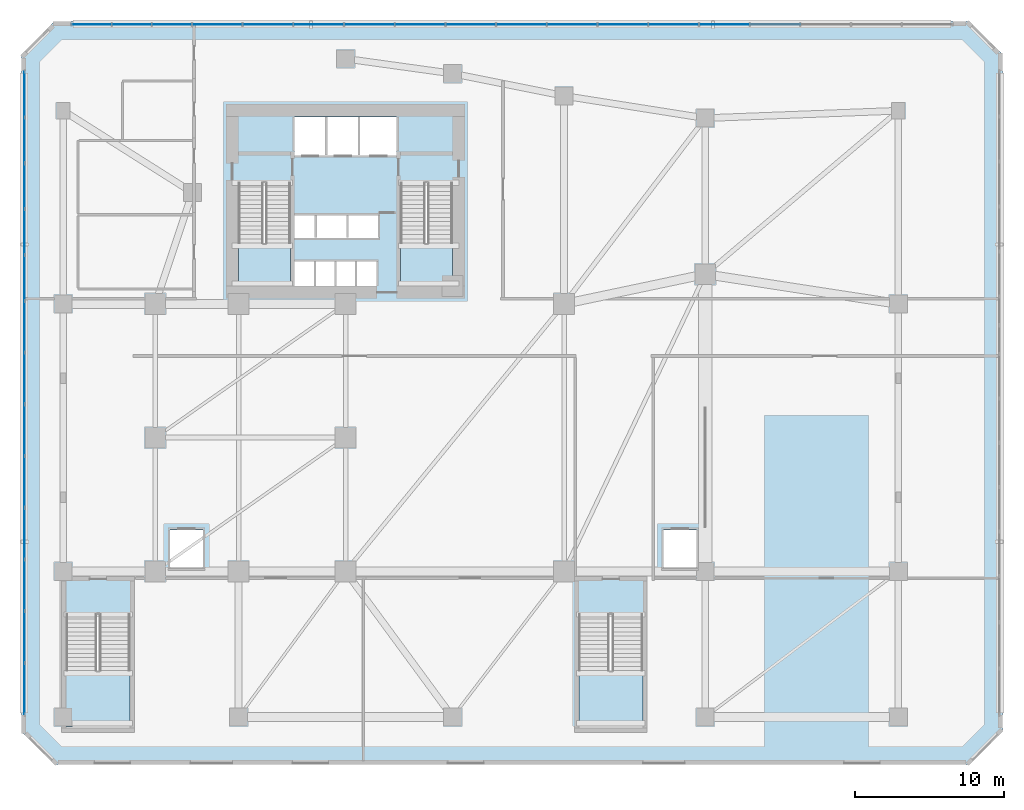
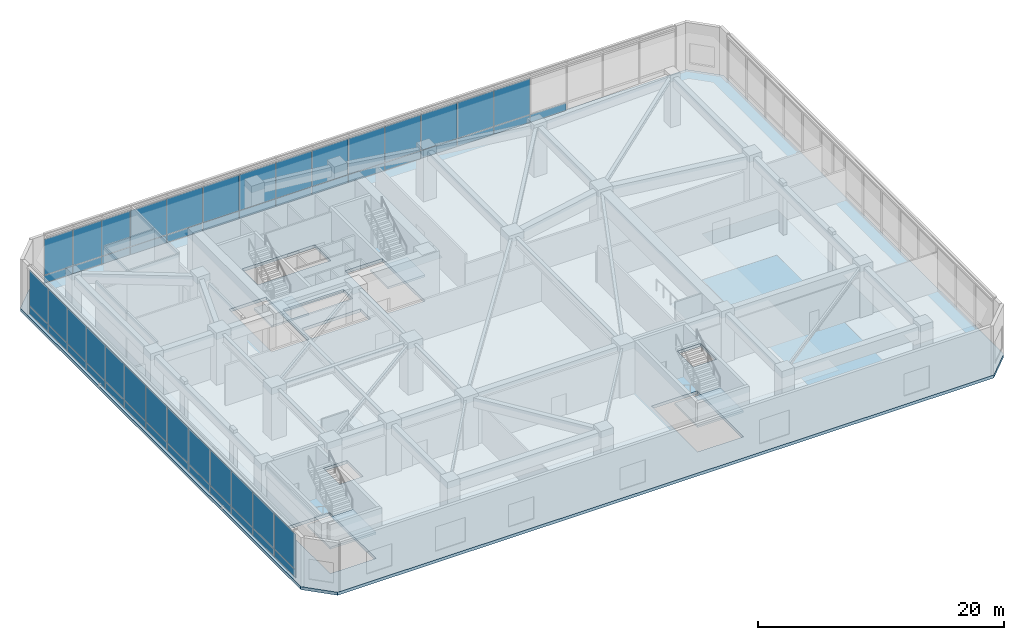
# One storey, part 8 of 18: 55 plates, 5 slabs, 6 elements without a shape of their own.
"""IFC4 building model written with IfcOpenShell, lengths in metres."""

from ifc_helpers import new_model, si_unit, direction, frame, frame_2d, origin, place, context, subcontext, project, spatial, polyline, rectangle, outline, extrude, material, layer, layer_set, type_object, element, aggregate, save


model = new_model("IFC4")

# Units and contexts
model_context = context("Model", 3, precision=1e-05, world=origin(), true_north=direction((0.0, 1.0)))
body_context = subcontext(model_context, "Body", "Model", "MODEL_VIEW")
ifc_project = project(units=[si_unit("LENGTHUNIT", "METRE"), si_unit("AREAUNIT", "SQUARE_METRE"), si_unit("VOLUMEUNIT", "CUBIC_METRE"), si_unit("PLANEANGLEUNIT", "RADIAN"), si_unit("MASSUNIT", "GRAM", prefix="KILO")], contexts=[model_context])

# Site, building, storey
site_placement = place(None, origin())
site = spatial("IfcSite", under=ifc_project, at=site_placement, CompositionType="ELEMENT")
building_placement = place(site_placement, origin())
building = spatial("IfcBuilding", under=site, at=building_placement, Name="Calvemar Wedge Station Tower", CompositionType="ELEMENT")
storey_placement = place(building_placement, frame((0.0, 0.0, 11.199951171875)))
storey = spatial("IfcBuildingStorey", under=building, at=storey_placement, Name="L03", CompositionType="ELEMENT", Elevation=11.199951171875)

# Curtain wall, plates
ifc_material_1 = material(Name="Anodised aluminium 6063-T6", Category="aluminium")
curtain_wall_type = type_object("IfcCurtainWallType", Name="CW5", PredefinedType="NOTDEFINED", material=ifc_material_1)
curtain_wall_1_placement = place(storey_placement, origin())
curtain_wall_1 = element("IfcCurtainWall", 1, at=curtain_wall_1_placement, inside=storey, type_object=curtain_wall_type, Name="Storey L03 CW5 Recessed Unitised Curtain Wall 4", PredefinedType="NOTDEFINED")
ifc_material_2 = material(Name="Low-E laminated insulated glass", Category="glass")
ifc_layer_1 = layer(ifc_material_2, 0.028076171875)
ifc_layer_set_1 = layer_set([ifc_layer_1], Name="Low-E laminated insulated glass")
plate_type_1 = type_object("IfcPlateType", Name="CW5-GLZ", PredefinedType="CURTAIN_PANEL", material=ifc_layer_set_1)
plate_1_placement = place(storey_placement, frame((50.972412109375, 51.7900390625, 0.8701171875), z_axis=(0.0, 0.0, 1.0), x_axis=(-1.0, 0.0, 0.0)))
plate_1 = element("IfcPlate", 2, at=plate_1_placement, type_object=plate_type_1, Name="CW5 vision glass panel 5", PredefinedType="CURTAIN_PANEL", context=body_context, shape_type="SweptSolid", body=[
    extrude(rectangle(XDim=3.375732421875, YDim=0.028076171875, at=frame_2d((1.68798828125, 0.0))), origin(), (0.0, 0.0, 1.0), 3.559814453125),
])
plate_2_placement = place(storey_placement, frame((47.560546875, 51.7900390625, 0.8701171875), z_axis=(0.0, 0.0, 1.0), x_axis=(-1.0, 0.0, 0.0)))
plate_2 = element("IfcPlate", 3, at=plate_2_placement, type_object=plate_type_1, Name="CW5 vision glass panel 6", PredefinedType="CURTAIN_PANEL", context=body_context, shape_type="SweptSolid", body=[
    extrude(rectangle(XDim=3.375732421875, YDim=0.028076171875, at=frame_2d((1.68798828125, 0.0))), origin(), (0.0, 0.0, 1.0), 3.559814453125),
])
plate_3_placement = place(storey_placement, frame((44.148681640625, 51.7900390625, 0.8701171875), z_axis=(0.0, 0.0, 1.0), x_axis=(-1.0, 0.0, 0.0)))
plate_3 = element("IfcPlate", 4, at=plate_3_placement, type_object=plate_type_1, Name="CW5 vision glass panel 7", PredefinedType="CURTAIN_PANEL", context=body_context, shape_type="SweptSolid", body=[
    extrude(rectangle(XDim=3.375732421875, YDim=0.028076171875, at=frame_2d((1.68798828125, 0.0))), origin(), (0.0, 0.0, 1.0), 3.559814453125),
])
plate_4_placement = place(storey_placement, frame((40.73681640625, 51.7900390625, 0.8701171875), z_axis=(0.0, 0.0, 1.0), x_axis=(-1.0, 0.0, 0.0)))
plate_4 = element("IfcPlate", 5, at=plate_4_placement, type_object=plate_type_1, Name="CW5 vision glass panel 8", PredefinedType="CURTAIN_PANEL", context=body_context, shape_type="SweptSolid", body=[
    extrude(rectangle(XDim=3.375732421875, YDim=0.028076171875, at=frame_2d((1.68798828125, 0.0))), origin(), (0.0, 0.0, 1.0), 3.559814453125),
])
plate_5_placement = place(storey_placement, frame((37.324951171875, 51.7900390625, 0.8701171875), z_axis=(0.0, 0.0, 1.0), x_axis=(-1.0, 0.0, 0.0)))
plate_5 = element("IfcPlate", 6, at=plate_5_placement, type_object=plate_type_1, Name="CW5 vision glass panel 9", PredefinedType="CURTAIN_PANEL", context=body_context, shape_type="SweptSolid", body=[
    extrude(rectangle(XDim=3.375732421875, YDim=0.028076171875, at=frame_2d((1.68798828125, 0.0))), origin(), (0.0, 0.0, 1.0), 3.559814453125),
])
plate_6_placement = place(storey_placement, frame((33.9130859375, 51.7900390625, 0.8701171875), z_axis=(0.0, 0.0, 1.0), x_axis=(-1.0, 0.0, 0.0)))
plate_6 = element("IfcPlate", 7, at=plate_6_placement, type_object=plate_type_1, Name="CW5 vision glass panel 10", PredefinedType="CURTAIN_PANEL", context=body_context, shape_type="SweptSolid", body=[
    extrude(rectangle(XDim=3.375732421875, YDim=0.028076171875, at=frame_2d((1.68798828125, 0.0))), origin(), (0.0, 0.0, 1.0), 3.559814453125),
])
plate_7_placement = place(storey_placement, frame((30.501220703125, 51.7900390625, 0.8701171875), z_axis=(0.0, 0.0, 1.0), x_axis=(-1.0, 0.0, 0.0)))
plate_7 = element("IfcPlate", 8, at=plate_7_placement, type_object=plate_type_1, Name="CW5 vision glass panel 11", PredefinedType="CURTAIN_PANEL", context=body_context, shape_type="SweptSolid", body=[
    extrude(rectangle(XDim=3.375732421875, YDim=0.028076171875, at=frame_2d((1.68798828125, 0.0))), origin(), (0.0, 0.0, 1.0), 3.559814453125),
])
plate_8_placement = place(storey_placement, frame((27.08935546875, 51.7900390625, 0.8701171875), z_axis=(0.0, 0.0, 1.0), x_axis=(-1.0, 0.0, 0.0)))
plate_8 = element("IfcPlate", 9, at=plate_8_placement, type_object=plate_type_1, Name="CW5 vision glass panel 12", PredefinedType="CURTAIN_PANEL", context=body_context, shape_type="SweptSolid", body=[
    extrude(rectangle(XDim=3.375732421875, YDim=0.028076171875, at=frame_2d((1.68798828125, 0.0))), origin(), (0.0, 0.0, 1.0), 3.559814453125),
])
plate_9_placement = place(storey_placement, frame((23.677490234375, 51.7900390625, 0.8701171875), z_axis=(0.0, 0.0, 1.0), x_axis=(-1.0, 0.0, 0.0)))
plate_9 = element("IfcPlate", 10, at=plate_9_placement, type_object=plate_type_1, Name="CW5 vision glass panel 13", PredefinedType="CURTAIN_PANEL", context=body_context, shape_type="SweptSolid", body=[
    extrude(rectangle(XDim=3.375732421875, YDim=0.028076171875, at=frame_2d((1.68798828125, 0.0))), origin(), (0.0, 0.0, 1.0), 3.559814453125),
])
plate_10_placement = place(storey_placement, frame((20.265625, 51.7900390625, 0.8701171875), z_axis=(0.0, 0.0, 1.0), x_axis=(-1.0, 0.0, 0.0)))
plate_10 = element("IfcPlate", 11, at=plate_10_placement, type_object=plate_type_1, Name="CW5 vision glass panel 14", PredefinedType="CURTAIN_PANEL", context=body_context, shape_type="SweptSolid", body=[
    extrude(rectangle(XDim=3.375732421875, YDim=0.028076171875, at=frame_2d((1.68798828125, 0.0))), origin(), (0.0, 0.0, 1.0), 3.559814453125),
])
plate_11_placement = place(storey_placement, frame((16.85400390625, 51.7900390625, 0.8701171875), z_axis=(0.0, 0.0, 1.0), x_axis=(-1.0, 0.0, 0.0)))
plate_11 = element("IfcPlate", 12, at=plate_11_placement, type_object=plate_type_1, Name="CW5 vision glass panel 15", PredefinedType="CURTAIN_PANEL", context=body_context, shape_type="SweptSolid", body=[
    extrude(rectangle(XDim=3.3759765625, YDim=0.028076171875, at=frame_2d((1.68798828125, 0.0))), origin(), (0.0, 0.0, 1.0), 3.559814453125),
])
plate_12_placement = place(storey_placement, frame((13.44189453125, 51.7900390625, 0.8701171875), z_axis=(0.0, 0.0, 1.0), x_axis=(-1.0, 0.0, 0.0)))
plate_12 = element("IfcPlate", 13, at=plate_12_placement, type_object=plate_type_1, Name="CW5 vision glass panel 16", PredefinedType="CURTAIN_PANEL", context=body_context, shape_type="SweptSolid", body=[
    extrude(rectangle(XDim=2.6630859375, YDim=0.028076171875, at=frame_2d((1.33154296875, 0.0))), origin(), (0.0, 0.0, 1.0), 3.559814453125),
])
plate_13_placement = place(storey_placement, frame((10.74267578125, 51.7900390625, 0.8701171875), z_axis=(0.0, 0.0, 1.0), x_axis=(-1.0, 0.0, 0.0)))
plate_13 = element("IfcPlate", 14, at=plate_13_placement, type_object=plate_type_1, Name="CW5 vision glass panel 17", PredefinedType="CURTAIN_PANEL", context=body_context, shape_type="SweptSolid", body=[
    extrude(rectangle(XDim=2.663330078125, YDim=0.028076171875, at=frame_2d((1.33154296875, 0.0))), origin(), (0.0, 0.0, 1.0), 3.559814453125),
])
plate_14_placement = place(storey_placement, frame((8.04345703125, 51.7900390625, 0.8701171875), z_axis=(0.0, 0.0, 1.0), x_axis=(-1.0, 0.0, 0.0)))
plate_14 = element("IfcPlate", 15, at=plate_14_placement, type_object=plate_type_1, Name="CW5 vision glass panel 18", PredefinedType="CURTAIN_PANEL", context=body_context, shape_type="SweptSolid", body=[
    extrude(rectangle(XDim=2.663330078125, YDim=0.028076171875, at=frame_2d((1.33154296875, 0.0))), origin(), (0.0, 0.0, 1.0), 3.559814453125),
])

curtain_wall_2_placement = place(storey_placement, origin())
curtain_wall_2 = element("IfcCurtainWall", 16, at=curtain_wall_2_placement, inside=storey, type_object=curtain_wall_type, Name="Storey L03 CW5 Recessed Unitised Curtain Wall 6", PredefinedType="NOTDEFINED")
plate_15_placement = place(storey_placement, frame((2.2099609375, 48.619873046875, 0.8701171875), z_axis=(0.0, 0.0, 1.0), x_axis=(0.0, -1.0, 0.0)))
plate_15 = element("IfcPlate", 17, at=plate_15_placement, type_object=plate_type_1, Name="CW5 vision glass panel 1", PredefinedType="CURTAIN_PANEL", context=body_context, shape_type="SweptSolid", body=[
    extrude(rectangle(XDim=3.049560546875, YDim=0.028076171875, at=frame_2d((1.52490234375, 0.0))), origin(), (0.0, 0.0, 1.0), 3.559814453125),
])
plate_16_placement = place(storey_placement, frame((2.2099609375, 45.5341796875, 0.8701171875), z_axis=(0.0, 0.0, 1.0), x_axis=(0.0, -1.0, 0.0)))
plate_16 = element("IfcPlate", 18, at=plate_16_placement, type_object=plate_type_1, Name="CW5 vision glass panel 2", PredefinedType="CURTAIN_PANEL", context=body_context, shape_type="SweptSolid", body=[
    extrude(rectangle(XDim=3.049560546875, YDim=0.028076171875, at=frame_2d((1.52490234375, 0.0))), origin(), (0.0, 0.0, 1.0), 3.559814453125),
])
plate_17_placement = place(storey_placement, frame((2.2099609375, 42.44873046875, 0.8701171875), z_axis=(0.0, 0.0, 1.0), x_axis=(0.0, -1.0, 0.0)))
plate_17 = element("IfcPlate", 19, at=plate_17_placement, type_object=plate_type_1, Name="CW5 vision glass panel 3", PredefinedType="CURTAIN_PANEL", context=body_context, shape_type="SweptSolid", body=[
    extrude(rectangle(XDim=3.049560546875, YDim=0.028076171875, at=frame_2d((1.52490234375, 0.0))), origin(), (0.0, 0.0, 1.0), 3.559814453125),
])
plate_18_placement = place(storey_placement, frame((2.2099609375, 39.36328125, 0.8701171875), z_axis=(0.0, 0.0, 1.0), x_axis=(0.0, -1.0, 0.0)))
plate_18 = element("IfcPlate", 20, at=plate_18_placement, type_object=plate_type_1, Name="CW5 vision glass panel 4", PredefinedType="CURTAIN_PANEL", context=body_context, shape_type="SweptSolid", body=[
    extrude(rectangle(XDim=3.049560546875, YDim=0.028076171875, at=frame_2d((1.52490234375, 0.0))), origin(), (0.0, 0.0, 1.0), 3.559814453125),
])
plate_19_placement = place(storey_placement, frame((2.2099609375, 36.277587890625, 0.8701171875), z_axis=(0.0, 0.0, 1.0), x_axis=(0.0, -1.0, 0.0)))
plate_19 = element("IfcPlate", 21, at=plate_19_placement, type_object=plate_type_1, Name="CW5 vision glass panel 5", PredefinedType="CURTAIN_PANEL", context=body_context, shape_type="SweptSolid", body=[
    extrude(rectangle(XDim=3.049560546875, YDim=0.028076171875, at=frame_2d((1.52490234375, 0.0))), origin(), (0.0, 0.0, 1.0), 3.559814453125),
])
plate_20_placement = place(storey_placement, frame((2.2099609375, 33.19189453125, 0.8701171875), z_axis=(0.0, 0.0, 1.0), x_axis=(0.0, -1.0, 0.0)))
plate_20 = element("IfcPlate", 22, at=plate_20_placement, type_object=plate_type_1, Name="CW5 vision glass panel 6", PredefinedType="CURTAIN_PANEL", context=body_context, shape_type="SweptSolid", body=[
    extrude(rectangle(XDim=3.44482421875, YDim=0.028076171875, at=frame_2d((1.722412109375, 0.0))), origin(), (0.0, 0.0, 1.0), 3.559814453125),
])
plate_21_placement = place(storey_placement, frame((2.2099609375, 29.7109375, 0.8701171875), z_axis=(0.0, 0.0, 1.0), x_axis=(0.0, -1.0, 0.0)))
plate_21 = element("IfcPlate", 23, at=plate_21_placement, type_object=plate_type_1, Name="CW5 vision glass panel 7", PredefinedType="CURTAIN_PANEL", context=body_context, shape_type="SweptSolid", body=[
    extrude(rectangle(XDim=3.44482421875, YDim=0.028076171875, at=frame_2d((1.722412109375, 0.0))), origin(), (0.0, 0.0, 1.0), 3.559814453125),
])
plate_22_placement = place(storey_placement, frame((2.2099609375, 26.22998046875, 0.8701171875), z_axis=(0.0, 0.0, 1.0), x_axis=(0.0, -1.0, 0.0)))
plate_22 = element("IfcPlate", 24, at=plate_22_placement, type_object=plate_type_1, Name="CW5 vision glass panel 8", PredefinedType="CURTAIN_PANEL", context=body_context, shape_type="SweptSolid", body=[
    extrude(rectangle(XDim=3.445068359375, YDim=0.028076171875, at=frame_2d((1.72265625, 0.0))), origin(), (0.0, 0.0, 1.0), 3.559814453125),
])
plate_23_placement = place(storey_placement, frame((2.2099609375, 22.7490234375, 0.8701171875), z_axis=(0.0, 0.0, 1.0), x_axis=(0.0, -1.0, 0.0)))
plate_23 = element("IfcPlate", 25, at=plate_23_placement, type_object=plate_type_1, Name="CW5 vision glass panel 9", PredefinedType="CURTAIN_PANEL", context=body_context, shape_type="SweptSolid", body=[
    extrude(rectangle(XDim=3.44482421875, YDim=0.028076171875, at=frame_2d((1.722412109375, 0.0))), origin(), (0.0, 0.0, 1.0), 3.559814453125),
])
plate_24_placement = place(storey_placement, frame((2.2099609375, 19.26806640625, 0.8701171875), z_axis=(0.0, 0.0, 1.0), x_axis=(0.0, -1.0, 0.0)))
plate_24 = element("IfcPlate", 26, at=plate_24_placement, type_object=plate_type_1, Name="CW5 vision glass panel 10", PredefinedType="CURTAIN_PANEL", context=body_context, shape_type="SweptSolid", body=[
    extrude(rectangle(XDim=3.445068359375, YDim=0.028076171875, at=frame_2d((1.72265625, 0.0))), origin(), (0.0, 0.0, 1.0), 3.559814453125),
])
plate_25_placement = place(storey_placement, frame((2.2099609375, 15.787109375, 0.8701171875), z_axis=(0.0, 0.0, 1.0), x_axis=(0.0, -1.0, 0.0)))
plate_25 = element("IfcPlate", 27, at=plate_25_placement, type_object=plate_type_1, Name="CW5 vision glass panel 11", PredefinedType="CURTAIN_PANEL", context=body_context, shape_type="SweptSolid", body=[
    extrude(rectangle(XDim=3.445068359375, YDim=0.028076171875, at=frame_2d((1.72265625, 0.0))), origin(), (0.0, 0.0, 1.0), 3.559814453125),
])
plate_26_placement = place(storey_placement, frame((2.2099609375, 12.30615234375, 0.8701171875), z_axis=(0.0, 0.0, 1.0), x_axis=(0.0, -1.0, 0.0)))
plate_26 = element("IfcPlate", 28, at=plate_26_placement, type_object=plate_type_1, Name="CW5 vision glass panel 12", PredefinedType="CURTAIN_PANEL", context=body_context, shape_type="SweptSolid", body=[
    extrude(rectangle(XDim=3.445068359375, YDim=0.028076171875, at=frame_2d((1.72265625, 0.0))), origin(), (0.0, 0.0, 1.0), 3.559814453125),
])
plate_27_placement = place(storey_placement, frame((2.2099609375, 8.8251953125, 0.8701171875), z_axis=(0.0, 0.0, 1.0), x_axis=(0.0, -1.0, 0.0)))
plate_27 = element("IfcPlate", 29, at=plate_27_placement, type_object=plate_type_1, Name="CW5 vision glass panel 13", PredefinedType="CURTAIN_PANEL", context=body_context, shape_type="SweptSolid", body=[
    extrude(rectangle(XDim=3.445068359375, YDim=0.028076171875, at=frame_2d((1.72265625, 0.0))), origin(), (0.0, 0.0, 1.0), 3.559814453125),
])

# Plate
ifc_material_3 = material(Name="Oxidized bronze aluminium spandrel panel 5005-H24", Category="aluminium")
ifc_layer_2 = layer(ifc_material_3, 0.0400390625)
ifc_layer_set_2 = layer_set([ifc_layer_2], Name="Oxidized bronze aluminium spandrel panel 5005-H24")
plate_type_2 = type_object("IfcPlateType", Name="CW5-SPD", PredefinedType="SHEET", material=ifc_layer_set_2)
plate_28_placement = place(storey_placement, frame((54.38427734375, 51.7900390625, 0.080078125), z_axis=(0.0, 0.0, 1.0), x_axis=(-1.0, 0.0, 0.0)))
plate_28 = element("IfcPlate", 30, at=plate_28_placement, type_object=plate_type_2, Name="CW5 bronze spandrel panel 4", PredefinedType="SHEET", context=body_context, shape_type="SweptSolid", body=[
    extrude(rectangle(XDim=3.375732421875, YDim=0.0400390625, at=frame_2d((1.68798828125, 0.0))), origin(), (0.0, 0.0, 1.0), 0.75),
])

plate_29_placement = place(storey_placement, frame((50.972412109375, 51.7900390625, 0.080078125), z_axis=(0.0, 0.0, 1.0), x_axis=(-1.0, 0.0, 0.0)))
plate_29 = element("IfcPlate", 31, at=plate_29_placement, type_object=plate_type_2, Name="CW5 bronze spandrel panel 5", PredefinedType="SHEET", context=body_context, shape_type="SweptSolid", body=[
    extrude(rectangle(XDim=3.375732421875, YDim=0.0400390625, at=frame_2d((1.68798828125, 0.0))), origin(), (0.0, 0.0, 1.0), 0.75),
])

plate_30_placement = place(storey_placement, frame((47.560546875, 51.7900390625, 0.080078125), z_axis=(0.0, 0.0, 1.0), x_axis=(-1.0, 0.0, 0.0)))
plate_30 = element("IfcPlate", 32, at=plate_30_placement, type_object=plate_type_2, Name="CW5 bronze spandrel panel 6", PredefinedType="SHEET", context=body_context, shape_type="SweptSolid", body=[
    extrude(rectangle(XDim=3.375732421875, YDim=0.0400390625, at=frame_2d((1.68798828125, 0.0))), origin(), (0.0, 0.0, 1.0), 0.75),
])

plate_31_placement = place(storey_placement, frame((44.148681640625, 51.7900390625, 0.080078125), z_axis=(0.0, 0.0, 1.0), x_axis=(-1.0, 0.0, 0.0)))
plate_31 = element("IfcPlate", 33, at=plate_31_placement, type_object=plate_type_2, Name="CW5 bronze spandrel panel 7", PredefinedType="SHEET", context=body_context, shape_type="SweptSolid", body=[
    extrude(rectangle(XDim=3.375732421875, YDim=0.0400390625, at=frame_2d((1.68798828125, 0.0))), origin(), (0.0, 0.0, 1.0), 0.75),
])

plate_32_placement = place(storey_placement, frame((40.73681640625, 51.7900390625, 0.080078125), z_axis=(0.0, 0.0, 1.0), x_axis=(-1.0, 0.0, 0.0)))
plate_32 = element("IfcPlate", 34, at=plate_32_placement, type_object=plate_type_2, Name="CW5 bronze spandrel panel 8", PredefinedType="SHEET", context=body_context, shape_type="SweptSolid", body=[
    extrude(rectangle(XDim=3.375732421875, YDim=0.0400390625, at=frame_2d((1.68798828125, 0.0))), origin(), (0.0, 0.0, 1.0), 0.75),
])

plate_33_placement = place(storey_placement, frame((37.324951171875, 51.7900390625, 0.080078125), z_axis=(0.0, 0.0, 1.0), x_axis=(-1.0, 0.0, 0.0)))
plate_33 = element("IfcPlate", 35, at=plate_33_placement, type_object=plate_type_2, Name="CW5 bronze spandrel panel 9", PredefinedType="SHEET", context=body_context, shape_type="SweptSolid", body=[
    extrude(rectangle(XDim=3.375732421875, YDim=0.0400390625, at=frame_2d((1.68798828125, 0.0))), origin(), (0.0, 0.0, 1.0), 0.75),
])

plate_34_placement = place(storey_placement, frame((33.9130859375, 51.7900390625, 0.080078125), z_axis=(0.0, 0.0, 1.0), x_axis=(-1.0, 0.0, 0.0)))
plate_34 = element("IfcPlate", 36, at=plate_34_placement, type_object=plate_type_2, Name="CW5 bronze spandrel panel 10", PredefinedType="SHEET", context=body_context, shape_type="SweptSolid", body=[
    extrude(rectangle(XDim=3.375732421875, YDim=0.0400390625, at=frame_2d((1.68798828125, 0.0))), origin(), (0.0, 0.0, 1.0), 0.75),
])

plate_35_placement = place(storey_placement, frame((30.501220703125, 51.7900390625, 0.080078125), z_axis=(0.0, 0.0, 1.0), x_axis=(-1.0, 0.0, 0.0)))
plate_35 = element("IfcPlate", 37, at=plate_35_placement, type_object=plate_type_2, Name="CW5 bronze spandrel panel 11", PredefinedType="SHEET", context=body_context, shape_type="SweptSolid", body=[
    extrude(rectangle(XDim=3.375732421875, YDim=0.0400390625, at=frame_2d((1.68798828125, 0.0))), origin(), (0.0, 0.0, 1.0), 0.75),
])

plate_36_placement = place(storey_placement, frame((27.08935546875, 51.7900390625, 0.080078125), z_axis=(0.0, 0.0, 1.0), x_axis=(-1.0, 0.0, 0.0)))
plate_36 = element("IfcPlate", 38, at=plate_36_placement, type_object=plate_type_2, Name="CW5 bronze spandrel panel 12", PredefinedType="SHEET", context=body_context, shape_type="SweptSolid", body=[
    extrude(rectangle(XDim=3.375732421875, YDim=0.0400390625, at=frame_2d((1.68798828125, 0.0))), origin(), (0.0, 0.0, 1.0), 0.75),
])

plate_37_placement = place(storey_placement, frame((23.677490234375, 51.7900390625, 0.080078125), z_axis=(0.0, 0.0, 1.0), x_axis=(-1.0, 0.0, 0.0)))
plate_37 = element("IfcPlate", 39, at=plate_37_placement, type_object=plate_type_2, Name="CW5 bronze spandrel panel 13", PredefinedType="SHEET", context=body_context, shape_type="SweptSolid", body=[
    extrude(rectangle(XDim=3.375732421875, YDim=0.0400390625, at=frame_2d((1.68798828125, 0.0))), origin(), (0.0, 0.0, 1.0), 0.75),
])

plate_38_placement = place(storey_placement, frame((20.265625, 51.7900390625, 0.080078125), z_axis=(0.0, 0.0, 1.0), x_axis=(-1.0, 0.0, 0.0)))
plate_38 = element("IfcPlate", 40, at=plate_38_placement, type_object=plate_type_2, Name="CW5 bronze spandrel panel 14", PredefinedType="SHEET", context=body_context, shape_type="SweptSolid", body=[
    extrude(rectangle(XDim=3.375732421875, YDim=0.0400390625, at=frame_2d((1.68798828125, 0.0))), origin(), (0.0, 0.0, 1.0), 0.75),
])

plate_39_placement = place(storey_placement, frame((16.85400390625, 51.7900390625, 0.080078125), z_axis=(0.0, 0.0, 1.0), x_axis=(-1.0, 0.0, 0.0)))
plate_39 = element("IfcPlate", 41, at=plate_39_placement, type_object=plate_type_2, Name="CW5 bronze spandrel panel 15", PredefinedType="SHEET", context=body_context, shape_type="SweptSolid", body=[
    extrude(rectangle(XDim=3.3759765625, YDim=0.0400390625, at=frame_2d((1.68798828125, 0.0))), origin(), (0.0, 0.0, 1.0), 0.75),
])

plate_40_placement = place(storey_placement, frame((13.44189453125, 51.7900390625, 0.080078125), z_axis=(0.0, 0.0, 1.0), x_axis=(-1.0, 0.0, 0.0)))
plate_40 = element("IfcPlate", 42, at=plate_40_placement, type_object=plate_type_2, Name="CW5 bronze spandrel panel 16", PredefinedType="SHEET", context=body_context, shape_type="SweptSolid", body=[
    extrude(rectangle(XDim=2.6630859375, YDim=0.0400390625, at=frame_2d((1.33154296875, 0.0))), origin(), (0.0, 0.0, 1.0), 0.75),
])

plate_41_placement = place(storey_placement, frame((10.74267578125, 51.7900390625, 0.080078125), z_axis=(0.0, 0.0, 1.0), x_axis=(-1.0, 0.0, 0.0)))
plate_41 = element("IfcPlate", 43, at=plate_41_placement, type_object=plate_type_2, Name="CW5 bronze spandrel panel 17", PredefinedType="SHEET", context=body_context, shape_type="SweptSolid", body=[
    extrude(rectangle(XDim=2.663330078125, YDim=0.0400390625, at=frame_2d((1.33154296875, 0.0))), origin(), (0.0, 0.0, 1.0), 0.75),
])

plate_42_placement = place(storey_placement, frame((8.04345703125, 51.7900390625, 0.080078125), z_axis=(0.0, 0.0, 1.0), x_axis=(-1.0, 0.0, 0.0)))
plate_42 = element("IfcPlate", 44, at=plate_42_placement, type_object=plate_type_2, Name="CW5 bronze spandrel panel 18", PredefinedType="SHEET", context=body_context, shape_type="SweptSolid", body=[
    extrude(rectangle(XDim=2.663330078125, YDim=0.0400390625, at=frame_2d((1.33154296875, 0.0))), origin(), (0.0, 0.0, 1.0), 0.75),
])

aggregate(curtain_wall_1, [plate_28, plate_29, plate_1, plate_30, plate_2, plate_31, plate_3, plate_32, plate_4, plate_33, plate_5, plate_34, plate_6, plate_35, plate_7, plate_36, plate_8, plate_37, plate_9, plate_38, plate_10, plate_39, plate_11, plate_40, plate_12, plate_41, plate_13, plate_42, plate_14])

plate_43_placement = place(storey_placement, frame((2.2099609375, 48.619873046875, 0.080078125), z_axis=(0.0, 0.0, 1.0), x_axis=(0.0, -1.0, 0.0)))
plate_43 = element("IfcPlate", 45, at=plate_43_placement, type_object=plate_type_2, Name="CW5 bronze spandrel panel 1", PredefinedType="SHEET", context=body_context, shape_type="SweptSolid", body=[
    extrude(rectangle(XDim=3.049560546875, YDim=0.0400390625, at=frame_2d((1.52490234375, 0.0))), origin(), (0.0, 0.0, 1.0), 0.75),
])

plate_44_placement = place(storey_placement, frame((2.2099609375, 45.5341796875, 0.080078125), z_axis=(0.0, 0.0, 1.0), x_axis=(0.0, -1.0, 0.0)))
plate_44 = element("IfcPlate", 46, at=plate_44_placement, type_object=plate_type_2, Name="CW5 bronze spandrel panel 2", PredefinedType="SHEET", context=body_context, shape_type="SweptSolid", body=[
    extrude(rectangle(XDim=3.049560546875, YDim=0.0400390625, at=frame_2d((1.52490234375, 0.0))), origin(), (0.0, 0.0, 1.0), 0.75),
])

plate_45_placement = place(storey_placement, frame((2.2099609375, 42.44873046875, 0.080078125), z_axis=(0.0, 0.0, 1.0), x_axis=(0.0, -1.0, 0.0)))
plate_45 = element("IfcPlate", 47, at=plate_45_placement, type_object=plate_type_2, Name="CW5 bronze spandrel panel 3", PredefinedType="SHEET", context=body_context, shape_type="SweptSolid", body=[
    extrude(rectangle(XDim=3.049560546875, YDim=0.0400390625, at=frame_2d((1.52490234375, 0.0))), origin(), (0.0, 0.0, 1.0), 0.75),
])

plate_46_placement = place(storey_placement, frame((2.2099609375, 39.36328125, 0.080078125), z_axis=(0.0, 0.0, 1.0), x_axis=(0.0, -1.0, 0.0)))
plate_46 = element("IfcPlate", 48, at=plate_46_placement, type_object=plate_type_2, Name="CW5 bronze spandrel panel 4", PredefinedType="SHEET", context=body_context, shape_type="SweptSolid", body=[
    extrude(rectangle(XDim=3.049560546875, YDim=0.0400390625, at=frame_2d((1.52490234375, 0.0))), origin(), (0.0, 0.0, 1.0), 0.75),
])

plate_47_placement = place(storey_placement, frame((2.2099609375, 36.277587890625, 0.080078125), z_axis=(0.0, 0.0, 1.0), x_axis=(0.0, -1.0, 0.0)))
plate_47 = element("IfcPlate", 49, at=plate_47_placement, type_object=plate_type_2, Name="CW5 bronze spandrel panel 5", PredefinedType="SHEET", context=body_context, shape_type="SweptSolid", body=[
    extrude(rectangle(XDim=3.049560546875, YDim=0.0400390625, at=frame_2d((1.52490234375, 0.0))), origin(), (0.0, 0.0, 1.0), 0.75),
])

plate_48_placement = place(storey_placement, frame((2.2099609375, 33.19189453125, 0.080078125), z_axis=(0.0, 0.0, 1.0), x_axis=(0.0, -1.0, 0.0)))
plate_48 = element("IfcPlate", 50, at=plate_48_placement, type_object=plate_type_2, Name="CW5 bronze spandrel panel 6", PredefinedType="SHEET", context=body_context, shape_type="SweptSolid", body=[
    extrude(rectangle(XDim=3.44482421875, YDim=0.0400390625, at=frame_2d((1.722412109375, 0.0))), origin(), (0.0, 0.0, 1.0), 0.75),
])

plate_49_placement = place(storey_placement, frame((2.2099609375, 29.7109375, 0.080078125), z_axis=(0.0, 0.0, 1.0), x_axis=(0.0, -1.0, 0.0)))
plate_49 = element("IfcPlate", 51, at=plate_49_placement, type_object=plate_type_2, Name="CW5 bronze spandrel panel 7", PredefinedType="SHEET", context=body_context, shape_type="SweptSolid", body=[
    extrude(rectangle(XDim=3.44482421875, YDim=0.0400390625, at=frame_2d((1.722412109375, 0.0))), origin(), (0.0, 0.0, 1.0), 0.75),
])

plate_50_placement = place(storey_placement, frame((2.2099609375, 26.22998046875, 0.080078125), z_axis=(0.0, 0.0, 1.0), x_axis=(0.0, -1.0, 0.0)))
plate_50 = element("IfcPlate", 52, at=plate_50_placement, type_object=plate_type_2, Name="CW5 bronze spandrel panel 8", PredefinedType="SHEET", context=body_context, shape_type="SweptSolid", body=[
    extrude(rectangle(XDim=3.445068359375, YDim=0.0400390625, at=frame_2d((1.72265625, 0.0))), origin(), (0.0, 0.0, 1.0), 0.75),
])

plate_51_placement = place(storey_placement, frame((2.2099609375, 22.7490234375, 0.080078125), z_axis=(0.0, 0.0, 1.0), x_axis=(0.0, -1.0, 0.0)))
plate_51 = element("IfcPlate", 53, at=plate_51_placement, type_object=plate_type_2, Name="CW5 bronze spandrel panel 9", PredefinedType="SHEET", context=body_context, shape_type="SweptSolid", body=[
    extrude(rectangle(XDim=3.44482421875, YDim=0.0400390625, at=frame_2d((1.722412109375, 0.0))), origin(), (0.0, 0.0, 1.0), 0.75),
])

plate_52_placement = place(storey_placement, frame((2.2099609375, 19.26806640625, 0.080078125), z_axis=(0.0, 0.0, 1.0), x_axis=(0.0, -1.0, 0.0)))
plate_52 = element("IfcPlate", 54, at=plate_52_placement, type_object=plate_type_2, Name="CW5 bronze spandrel panel 10", PredefinedType="SHEET", context=body_context, shape_type="SweptSolid", body=[
    extrude(rectangle(XDim=3.445068359375, YDim=0.0400390625, at=frame_2d((1.72265625, 0.0))), origin(), (0.0, 0.0, 1.0), 0.75),
])

plate_53_placement = place(storey_placement, frame((2.2099609375, 15.787109375, 0.080078125), z_axis=(0.0, 0.0, 1.0), x_axis=(0.0, -1.0, 0.0)))
plate_53 = element("IfcPlate", 55, at=plate_53_placement, type_object=plate_type_2, Name="CW5 bronze spandrel panel 11", PredefinedType="SHEET", context=body_context, shape_type="SweptSolid", body=[
    extrude(rectangle(XDim=3.445068359375, YDim=0.0400390625, at=frame_2d((1.72265625, 0.0))), origin(), (0.0, 0.0, 1.0), 0.75),
])

plate_54_placement = place(storey_placement, frame((2.2099609375, 12.30615234375, 0.080078125), z_axis=(0.0, 0.0, 1.0), x_axis=(0.0, -1.0, 0.0)))
plate_54 = element("IfcPlate", 56, at=plate_54_placement, type_object=plate_type_2, Name="CW5 bronze spandrel panel 12", PredefinedType="SHEET", context=body_context, shape_type="SweptSolid", body=[
    extrude(rectangle(XDim=3.445068359375, YDim=0.0400390625, at=frame_2d((1.72265625, 0.0))), origin(), (0.0, 0.0, 1.0), 0.75),
])

plate_55_placement = place(storey_placement, frame((2.2099609375, 8.8251953125, 0.080078125), z_axis=(0.0, 0.0, 1.0), x_axis=(0.0, -1.0, 0.0)))
plate_55 = element("IfcPlate", 57, at=plate_55_placement, type_object=plate_type_2, Name="CW5 bronze spandrel panel 13", PredefinedType="SHEET", context=body_context, shape_type="SweptSolid", body=[
    extrude(rectangle(XDim=3.445068359375, YDim=0.0400390625, at=frame_2d((1.72265625, 0.0))), origin(), (0.0, 0.0, 1.0), 0.75),
])

aggregate(curtain_wall_2, [plate_43, plate_15, plate_44, plate_16, plate_45, plate_17, plate_46, plate_18, plate_47, plate_19, plate_48, plate_20, plate_49, plate_21, plate_50, plate_22, plate_51, plate_23, plate_52, plate_24, plate_53, plate_25, plate_54, plate_26, plate_55, plate_27])

# Slab
ifc_material_4 = material(Name="Concrete C50", Category="concrete")
ifc_layer_3 = layer(ifc_material_4, 0.300048828125)
ifc_layer_set_3 = layer_set([ifc_layer_3], Name="Concrete C50")
slab_type_1 = type_object("IfcSlabType", Name="SL-POD-300", PredefinedType="FLOOR", material=ifc_layer_set_3)
slab_1_placement = place(storey_placement, frame((0.0, 0.0, -0.300048828125)))
element("IfcSlab", 58, at=slab_1_placement, inside=storey, type_object=slab_type_1, Name="Storey L03 Structural Floor Slab", PredefinedType="FLOOR", context=body_context, shape_type="SweptSolid", body=[
    extrude(outline(polyline([(4.199951171875, 2.0), (65.800048828125, 2.0), (68.0, 4.199951171875), (68.0, 49.800048828125), (65.800048828125, 52.0), (4.199951171875, 52.0), (2.0, 49.800048828125), (2.0, 4.199951171875), (4.199951171875, 2.0)]), holes=[polyline([(5.0, 4.60009765625), (9.300048828125, 4.60009765625), (9.300048828125, 12.10009765625), (5.0, 12.10009765625), (5.0, 4.60009765625)]), polyline([(12.0, 15.199951171875), (14.199951171875, 15.199951171875), (14.199951171875, 17.800048828125), (12.0, 17.800048828125), (12.0, 15.199951171875)]), polyline([(21.72998046875, 34.219970703125), (21.739990234375, 34.219970703125), (23.1201171875, 34.219970703125), (23.1298828125, 34.219970703125), (24.510009765625, 34.219970703125), (24.52001953125, 34.219970703125), (25.909912109375, 34.219970703125), (25.909912109375, 35.85009765625), (24.52001953125, 35.85009765625), (24.510009765625, 35.85009765625), (23.1298828125, 35.85009765625), (23.1201171875, 35.85009765625), (21.739990234375, 35.85009765625), (21.72998046875, 35.85009765625), (20.3798828125, 35.85009765625), (20.3798828125, 34.219970703125), (21.72998046875, 34.219970703125)]), polyline([(16.60009765625, 41.14990234375), (16.60009765625, 34.199951171875), (20.10009765625, 34.199951171875), (20.10009765625, 41.14990234375), (16.60009765625, 41.14990234375)]), polyline([(23.93994140625, 37.449951171875), (26.080078125, 37.449951171875), (26.080078125, 38.949951171875), (23.93994140625, 38.949951171875), (23.929931640625, 38.949951171875), (21.800048828125, 38.949951171875), (21.7900390625, 38.949951171875), (20.3798828125, 38.949951171875), (20.3798828125, 37.449951171875), (21.7900390625, 37.449951171875), (21.800048828125, 37.449951171875), (23.929931640625, 37.449951171875), (23.93994140625, 37.449951171875)]), polyline([(39.5, 4.60009765625), (43.800048828125, 4.60009765625), (43.800048828125, 12.10009765625), (39.5, 12.10009765625), (39.5, 4.60009765625)]), polyline([(45.199951171875, 15.199951171875), (47.39990234375, 15.199951171875), (47.39990234375, 17.800048828125), (45.199951171875, 17.800048828125), (45.199951171875, 15.199951171875)]), polyline([(27.5, 41.14990234375), (27.5, 34.199951171875), (31.0, 34.199951171875), (31.0, 41.14990234375), (27.5, 41.14990234375)]), polyline([(20.3798828125, 43.0), (27.219970703125, 43.0), (27.219970703125, 45.580078125), (20.3798828125, 45.580078125), (20.3798828125, 43.0)])]), origin(), (0.0, 0.0, 1.0), 0.300048828125),
])

# Stair, slab
ifc_material_5 = material(Name="Concrete C45", Category="concrete")
stair_type_1 = type_object("IfcStairType", Name="ST-TYPE-5200", PredefinedType="HALF_TURN_STAIR", material=ifc_material_5)
stair_1_placement = place(storey_placement, origin())
stair_1 = element("IfcStair", 59, at=stair_1_placement, inside=storey, type_object=stair_type_1, Name="L03 Pressurized Core Exit Stair ST-C1", PredefinedType="HALF_TURN_STAIR")
ifc_layer_4 = layer(ifc_material_5, 0.199951171875)
ifc_layer_set_4 = layer_set([ifc_layer_4], Name="Concrete C45")
slab_type_2 = type_object("IfcSlabType", Name="SL-STAIR-LND-200", PredefinedType="LANDING", material=ifc_layer_set_4)
slab_2_placement = place(storey_placement, frame((0.0, 0.0, 2.400146484375)))
slab_2 = element("IfcSlab", 60, at=slab_2_placement, type_object=slab_type_2, Name="ST-C1 landing 1", PredefinedType="LANDING", context=body_context, shape_type="SweptSolid", body=[
    extrude(outline(polyline([(16.60009765625, 37.090087890625), (16.60009765625, 34.199951171875), (20.10009765625, 34.199951171875), (20.10009765625, 37.090087890625), (16.60009765625, 37.090087890625)])), origin(), (0.0, 0.0, 1.0), 0.199951171875),
])
aggregate(stair_1, [slab_2])

stair_2_placement = place(storey_placement, origin())
stair_2 = element("IfcStair", 61, at=stair_2_placement, inside=storey, type_object=stair_type_1, Name="L03 Pressurized Core Exit Stair ST-C2", PredefinedType="HALF_TURN_STAIR")
slab_3_placement = place(storey_placement, frame((0.0, 0.0, 2.400146484375)))
slab_3 = element("IfcSlab", 62, at=slab_3_placement, type_object=slab_type_2, Name="ST-C2 landing 1", PredefinedType="LANDING", context=body_context, shape_type="SweptSolid", body=[
    extrude(outline(polyline([(27.5, 37.090087890625), (27.5, 34.199951171875), (31.0, 34.199951171875), (31.0, 37.090087890625), (27.5, 37.090087890625)])), origin(), (0.0, 0.0, 1.0), 0.199951171875),
])
aggregate(stair_2, [slab_3])

stair_type_2 = type_object("IfcStairType", Name="ST-TYPE-POD5200", PredefinedType="HALF_TURN_STAIR", material=ifc_material_5)
stair_3_placement = place(storey_placement, origin())
stair_3 = element("IfcStair", 63, at=stair_3_placement, inside=storey, type_object=stair_type_2, Name="L03 Station Podium Exit Stair ST-P1", PredefinedType="HALF_TURN_STAIR")
slab_4_placement = place(storey_placement, frame((0.0, 0.0, 2.400146484375)))
slab_4 = element("IfcSlab", 64, at=slab_4_placement, type_object=slab_type_2, Name="ST-P1 landing 1", PredefinedType="LANDING", context=body_context, shape_type="SweptSolid", body=[
    extrude(outline(polyline([(5.0, 8.330078125), (5.0, 4.60009765625), (9.300048828125, 4.60009765625), (9.300048828125, 8.330078125), (5.0, 8.330078125)])), origin(), (0.0, 0.0, 1.0), 0.199951171875),
])
aggregate(stair_3, [slab_4])

stair_4_placement = place(storey_placement, origin())
stair_4 = element("IfcStair", 65, at=stair_4_placement, inside=storey, type_object=stair_type_2, Name="L03 Station Podium Exit Stair ST-P2", PredefinedType="HALF_TURN_STAIR")
slab_5_placement = place(storey_placement, frame((0.0, 0.0, 2.400146484375)))
slab_5 = element("IfcSlab", 66, at=slab_5_placement, type_object=slab_type_2, Name="ST-P2 landing 1", PredefinedType="LANDING", context=body_context, shape_type="SweptSolid", body=[
    extrude(outline(polyline([(39.5, 8.330078125), (39.5, 4.60009765625), (43.800048828125, 4.60009765625), (43.800048828125, 8.330078125), (39.5, 8.330078125)])), origin(), (0.0, 0.0, 1.0), 0.199951171875),
])
aggregate(stair_4, [slab_5])

save(model, "model.ifc")
